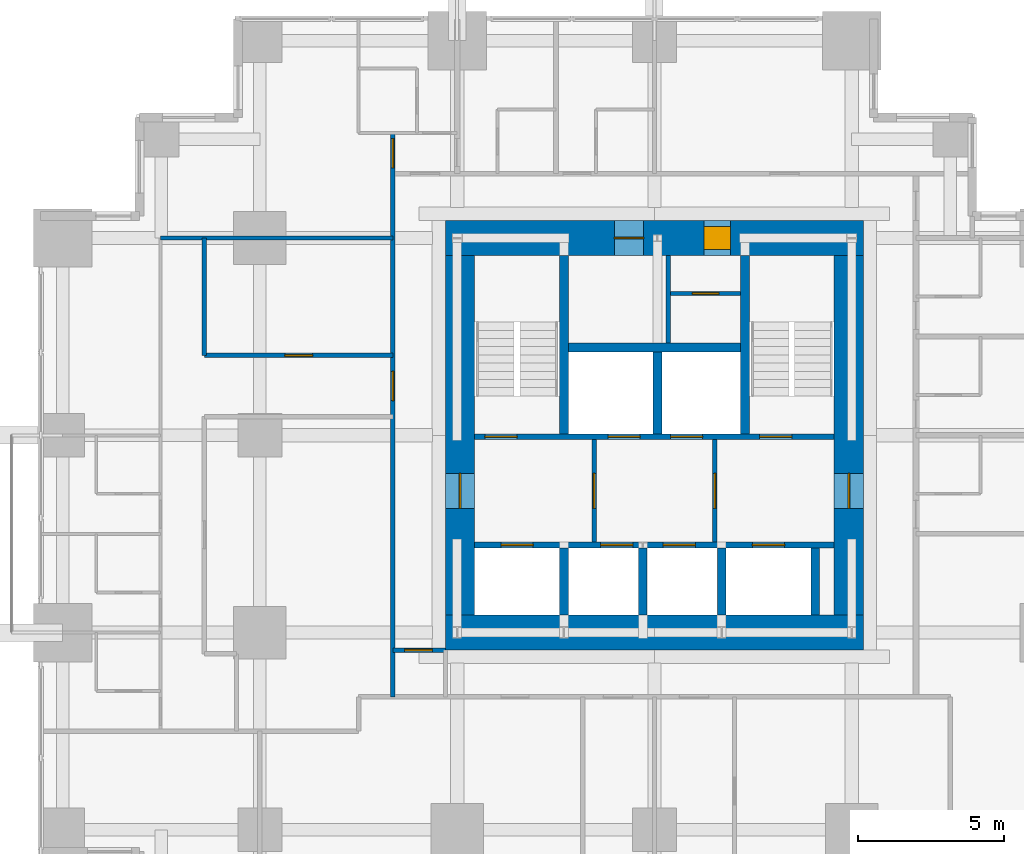
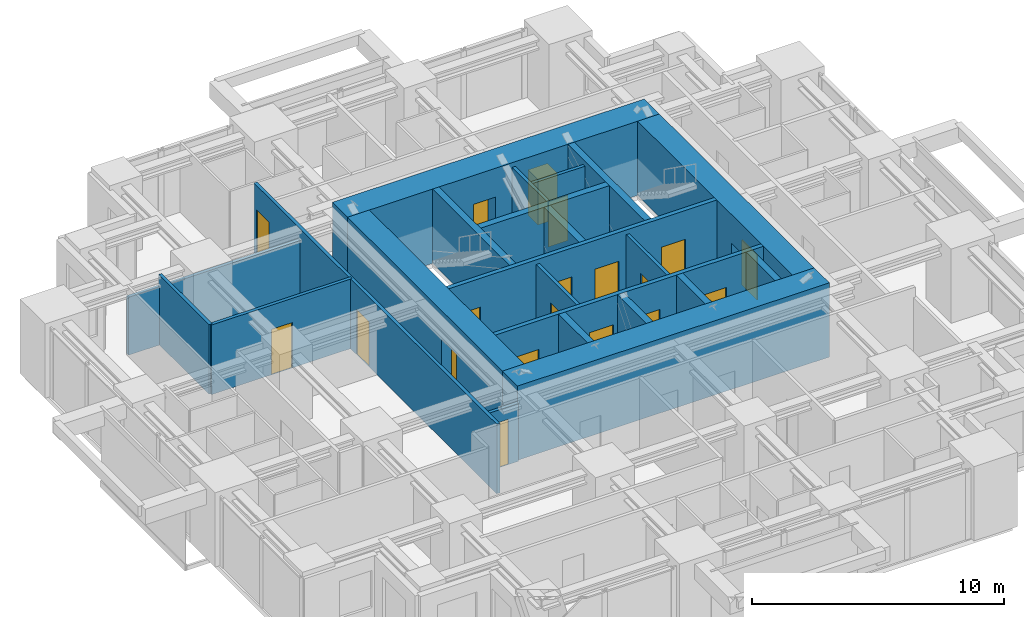
# One storey, part 7 of 10: 23 walls, 19 doors, 19 openings.
"""IFC4 building model written with IfcOpenShell, lengths in metres."""

import ifcopenshell
import ifcopenshell.guid

model = None  # the IFC model being written
_history = None  # IfcOwnerHistory: only IFC2X3 demands one
_inside = {}  # id of a spatial element -> (the spatial element, [elements in it])
_under = {}  # id of a project, library or spatial element -> (it, [spatial elements below it])
_declared = {}  # id of a project -> (the project, [libraries it declares])
_typed = {}  # id of a type object -> (the type object, [elements of that type])
_made_of = {}  # id of a material, layer set ... -> (it, [elements and type objects made of it])


def new_model(schema):
    """Start an empty IFC model of exactly this schema.

    Asked for "IFC4X3", IfcOpenShell would pick the latest addendum, in which some entities
    have other attributes; the version numbers below select the first issue.
    IFC2X3 requires an IfcOwnerHistory on every rooted entity: one is made here for all.
    """
    global model, _history
    if schema == "IFC4X3":
        model = ifcopenshell.file(schema_version=(4, 3, 0, 0))
    else:
        model = ifcopenshell.file(schema=schema)
    _inside.clear()
    _under.clear()
    _declared.clear()
    _typed.clear()
    _made_of.clear()
    _history = None
    if model.schema == "IFC2X3":
        org = make("IfcOrganization", Name="unknown")
        user = make(
            "IfcPersonAndOrganization",
            ThePerson=make("IfcPerson", FamilyName="unknown"),
            TheOrganization=org,
        )
        app = make(
            "IfcApplication",
            ApplicationDeveloper=org,
            Version="unknown",
            ApplicationFullName="unknown",
            ApplicationIdentifier="unknown",
        )
        _history = make(
            "IfcOwnerHistory",
            OwningUser=user,
            OwningApplication=app,
            ChangeAction="ADDED",
            CreationDate=0,
        )
    return model


def make(cls, **values):
    """One entity of the class cls with the attributes given. An attribute that is None is left unset."""
    return model.create_entity(
        cls, **{name: value for name, value in values.items() if value is not None}
    )


def rooted(cls, **values):
    """An entity with a GlobalId (a new one), such as an element, a storey or a relation."""
    return make(cls, GlobalId=ifcopenshell.guid.new(), OwnerHistory=_history, **values)


def si_unit(unit_type, name, prefix=None):
    """IfcSIUnit, for example si_unit("LENGTHUNIT", "METRE", prefix="MILLI")."""
    return make("IfcSIUnit", UnitType=unit_type, Prefix=prefix, Name=name)


def assignment(units):
    """IfcUnitAssignment: the units of a project."""
    return None if units is None else make("IfcUnitAssignment", Units=units)


def point(xyz):
    """IfcCartesianPoint."""
    return None if xyz is None else make("IfcCartesianPoint", Coordinates=xyz)


def direction(xyz):
    """IfcDirection."""
    return None if xyz is None else make("IfcDirection", DirectionRatios=xyz)


def frame(location, z_axis=None, x_axis=None):
    """IfcAxis2Placement3D, a coordinate frame: its origin and axes. An axis left out is left unset."""
    return make(
        "IfcAxis2Placement3D",
        Location=point(location),
        Axis=direction(z_axis),
        RefDirection=direction(x_axis),
    )


def frame_2d(location, x_axis=None):
    """IfcAxis2Placement2D, a coordinate frame in the plane: its origin and x axis."""
    return make(
        "IfcAxis2Placement2D", Location=point(location), RefDirection=direction(x_axis)
    )


def origin():
    """The frame at (0, 0, 0) with its axes left unset."""
    return frame((0.0, 0.0, 0.0))


def place(relative_to, where):
    """IfcLocalPlacement: puts the frame where relative to a parent placement (None: the world)."""
    return make(
        "IfcLocalPlacement", PlacementRelTo=relative_to, RelativePlacement=where
    )


def context(
    kind, dimensions, precision=None, world=None, true_north=None, identifier=None
):
    """IfcGeometricRepresentationContext, for example the 3D "Model" context."""
    return make(
        "IfcGeometricRepresentationContext",
        ContextIdentifier=identifier,
        ContextType=kind,
        CoordinateSpaceDimension=dimensions,
        Precision=precision,
        WorldCoordinateSystem=world,
        TrueNorth=true_north,
    )


def subcontext(parent, identifier, kind, view, scale=None):
    """IfcGeometricRepresentationSubContext, for example "Body" below "Model"."""
    return make(
        "IfcGeometricRepresentationSubContext",
        ContextIdentifier=identifier,
        ContextType=kind,
        ParentContext=parent,
        TargetScale=scale,
        TargetView=view,
    )


def project(units=None, contexts=None):
    """IfcProject with its units and contexts."""
    return rooted(
        "IfcProject",
        Name="project",
        RepresentationContexts=contexts,
        UnitsInContext=assignment(units),
    )


def spatial(cls, under=None, at=None, **own):
    """A site, building, storey or space (cls), placed at a placement, below another one or the project."""
    s = rooted(cls, ObjectPlacement=at, **own)
    if under is not None:
        _under.setdefault(under.id(), (under, []))[1].append(s)
    return s


def profile(cls, at=None, kind="AREA", **sizes):
    """A parametric profile (cls). Its sizes go by their IFC names, for example OverallWidth=200.0."""
    return make(cls, ProfileType=kind, Position=at, **sizes)


def rectangle(**sizes):
    """IfcRectangleProfileDef."""
    return profile("IfcRectangleProfileDef", **sizes)


def extrude(swept, where, along, depth):
    """IfcExtrudedAreaSolid: the profile swept, set in the frame where, extruded along a direction by depth."""
    return make(
        "IfcExtrudedAreaSolid",
        SweptArea=swept,
        Position=where,
        ExtrudedDirection=direction(along),
        Depth=depth,
    )


def shape(context_of_items, identifier, shape_type, items):
    """IfcShapeRepresentation: the items that make up one representation, for example the "Body"."""
    return make(
        "IfcShapeRepresentation",
        ContextOfItems=context_of_items,
        RepresentationIdentifier=identifier,
        RepresentationType=shape_type,
        Items=items,
    )


def material(Name=None, Category=None):
    """IfcMaterial."""
    return make("IfcMaterial", Name=Name, Category=Category)


def layer(
    of_material, thickness, ventilated=None, Name=None, Category=None, Priority=None
):
    """IfcMaterialLayer: one layer of a wall or slab, of a material (None: an air gap)."""
    return make(
        "IfcMaterialLayer",
        Material=of_material,
        LayerThickness=thickness,
        IsVentilated=ventilated,
        Name=Name,
        Category=Category,
        Priority=Priority,
    )


def layer_set(layers, Name=None):
    """IfcMaterialLayerSet."""
    return make("IfcMaterialLayerSet", MaterialLayers=layers, LayerSetName=Name)


def made_of(thing, what):
    """Note that an element or type object is made of a material, layer set ...; save() writes the relation."""
    if what is not None:
        _made_of.setdefault(what.id(), (what, []))[1].append(thing)
    return thing


def type_object(cls, material=None, **own):
    """A type object (cls), such as IfcWallType, which elements share."""
    return made_of(rooted(cls, **own), material)


def element(
    cls,
    number,
    at=None,
    inside=None,
    cuts=None,
    type_object=None,
    material=None,
    context=None,
    identifier="Body",
    shape_type=None,
    held_by="IfcProductDefinitionShape",
    body=None,
    shapes=None,
    **own,
):
    """One element of the class cls, such as IfcWall. Its Tag is "e" and its number.

    at: its placement. inside: the storey or other place that contains it. cuts: it is an
    opening in that element (IfcRelVoidsElement). A single representation is given by context,
    identifier, shape_type and body (its items); several are given by shapes. held_by: the class
    of the entity that holds the representations. save() writes the other relations.
    """
    e = rooted(cls, Tag="e%d" % number, ObjectPlacement=at, **own)
    if body is not None:
        shapes = [shape(context, identifier, shape_type, body)]
    if shapes is not None:
        e.Representation = make(held_by, Representations=shapes)
    if inside is not None:
        _inside.setdefault(inside.id(), (inside, []))[1].append(e)
    if cuts is not None:
        rooted(
            "IfcRelVoidsElement", RelatingBuildingElement=cuts, RelatedOpeningElement=e
        )
    if type_object is not None:
        _typed.setdefault(type_object.id(), (type_object, []))[1].append(e)
    return made_of(e, material)


def fill(opening, filler):
    """IfcRelFillsElement: the door or window that sits in an opening."""
    return rooted(
        "IfcRelFillsElement",
        RelatingOpeningElement=opening,
        RelatedBuildingElement=filler,
    )


def aggregate(whole, parts):
    """IfcRelAggregates: a whole, such as a stair, and the parts it consists of."""
    return rooted("IfcRelAggregates", RelatingObject=whole, RelatedObjects=parts)


def save(model, path):
    """Write the relations noted so far, then the file.

    IfcRelAggregates (storeys below a building ...), IfcRelContainedInSpatialStructure (elements
    in a storey), IfcRelDefinesByType, IfcRelAssociatesMaterial and IfcRelDeclares: one each for
    every whole, place, type object, material and project.
    """
    for whole, parts in _under.values():
        aggregate(whole, parts)
    for where, things in _inside.values():
        rooted(
            "IfcRelContainedInSpatialStructure",
            RelatedElements=things,
            RelatingStructure=where,
        )
    for kind, things in _typed.values():
        rooted("IfcRelDefinesByType", RelatedObjects=things, RelatingType=kind)
    for what, things in _made_of.values():
        rooted("IfcRelAssociatesMaterial", RelatedObjects=things, RelatingMaterial=what)
    for by, libraries in _declared.values():
        rooted("IfcRelDeclares", RelatingContext=by, RelatedDefinitions=libraries)
    model.write(path)


model = new_model("IFC4")

# Units and contexts
model_context = context("Model", 3, precision=1e-05, world=origin(), true_north=direction((0.0, 1.0)))
body_context = subcontext(model_context, "Body", "Model", "MODEL_VIEW")
ifc_project = project(units=[si_unit("LENGTHUNIT", "METRE"), si_unit("AREAUNIT", "SQUARE_METRE"), si_unit("VOLUMEUNIT", "CUBIC_METRE"), si_unit("PLANEANGLEUNIT", "RADIAN"), si_unit("MASSUNIT", "GRAM", prefix="KILO")], contexts=[model_context])

# Site, building, storey
site_placement = place(None, origin())
site = spatial("IfcSite", under=ifc_project, at=site_placement, CompositionType="ELEMENT")
building_placement = place(site_placement, origin())
building = spatial("IfcBuilding", under=site, at=building_placement, Name="Nyansa Garden Tower", CompositionType="ELEMENT")
storey_placement = place(building_placement, frame((0.0, 0.0, 145.800048828125)))
storey = spatial("IfcBuildingStorey", under=building, at=storey_placement, Name="L39", CompositionType="ELEMENT", Elevation=145.800048828125)

# Wall, openings, doors
ifc_material_1 = material(Name="Concrete C70/85", Category="concrete")
ifc_layer_1 = layer(ifc_material_1, 0.199951171875)
ifc_layer_set_1 = layer_set([ifc_layer_1], Name="Core inner wall CI200")
wall_type_1 = type_object("IfcWallType", Name="Core inner wall CI200", PredefinedType="SHEAR", material=ifc_layer_set_1)
wall_1_placement = place(storey_placement, frame((14.10009765625, 16.5, 0.0), z_axis=(0.0, 0.0, 1.0), x_axis=(1.0, 0.0, 0.0)))
wall_1 = element("IfcWall", 1, at=wall_1_placement, inside=storey, type_object=wall_type_1, Name="Core inner wall L39", PredefinedType="SHEAR", context=body_context, shape_type="SweptSolid", body=[
    extrude(rectangle(XDim=12.2998046875, YDim=0.199951171875, at=frame_2d((6.14990234375, 0.0))), origin(), (0.0, 0.0, 1.0), 3.599853515625),
])
opening_1_placement = place(wall_1_placement, frame((0.89990234375, 0.0, 0.0)))
opening_1 = element("IfcOpeningElement", 2, at=opening_1_placement, cuts=wall_1, Name="Opening LD-F", PredefinedType="OPENING", context=body_context, shape_type="SweptSolid", body=[
    extrude(rectangle(XDim=1.10009765625, YDim=2.199951171875, at=frame_2d((0.550048828125, 1.10009765625))), frame((0.0, 0.10986328125, 0.0), z_axis=(0.0, -1.0, 0.0), x_axis=(1.0, 0.0, 0.0)), (0.0, 0.0, 1.0), 0.219970703125),
])
opening_2_placement = place(wall_1_placement, frame((4.31005859375, 0.0, 0.0)))
opening_2 = element("IfcOpeningElement", 3, at=opening_2_placement, cuts=wall_1, Name="Opening LD-B", PredefinedType="OPENING", context=body_context, shape_type="SweptSolid", body=[
    extrude(rectangle(XDim=1.10009765625, YDim=2.199951171875, at=frame_2d((0.550048828125, 1.10009765625))), frame((0.0, 0.10986328125, 0.0), z_axis=(0.0, -1.0, 0.0), x_axis=(1.0, 0.0, 0.0)), (0.0, 0.0, 1.0), 0.219970703125),
])
opening_3_placement = place(wall_1_placement, frame((6.449951171875, 0.0, 0.0)))
opening_3 = element("IfcOpeningElement", 4, at=opening_3_placement, cuts=wall_1, Name="Opening LD-B", PredefinedType="OPENING", context=body_context, shape_type="SweptSolid", body=[
    extrude(rectangle(XDim=1.10009765625, YDim=2.199951171875, at=frame_2d((0.550048828125, 1.10009765625))), frame((0.0, 0.10986328125, 0.0), z_axis=(0.0, -1.0, 0.0), x_axis=(1.0, 0.0, 0.0)), (0.0, 0.0, 1.0), 0.219970703125),
])
opening_4_placement = place(wall_1_placement, frame((9.5, 0.0, 0.0)))
opening_4 = element("IfcOpeningElement", 5, at=opening_4_placement, cuts=wall_1, Name="Opening LD-F", PredefinedType="OPENING", context=body_context, shape_type="SweptSolid", body=[
    extrude(rectangle(XDim=1.10009765625, YDim=2.199951171875, at=frame_2d((0.550048828125, 1.10009765625))), frame((0.0, 0.10986328125, 0.0), z_axis=(0.0, -1.0, 0.0), x_axis=(1.0, 0.0, 0.0)), (0.0, 0.0, 1.0), 0.219970703125),
])
ifc_material_2 = material(Name="Stainless steel centre-opening landing door of the high-rise lift, E 120", Category="steel")
door_type_1 = type_object("IfcDoorType", Name="Lift landing door LD-B 1100x2200", OperationType="DOUBLE_DOOR_SLIDING", PredefinedType="DOOR", material=ifc_material_2)
door_1_placement = place(opening_2_placement, origin())
door_1 = element("IfcDoor", 6, at=door_1_placement, inside=storey, type_object=door_type_1, Name="Landing door B1", OperationType="DOUBLE_DOOR_SLIDING", OverallHeight=2.199951171875, OverallWidth=1.10009765625, PredefinedType="DOOR", context=body_context, shape_type="SweptSolid", body=[
    extrude(rectangle(XDim=1.10009765625, YDim=2.199951171875, at=frame_2d((0.550048828125, 1.10009765625))), frame((0.0, 0.02490234375, 0.0), z_axis=(0.0, -1.0, 0.0), x_axis=(1.0, 0.0, 0.0)), (0.0, 0.0, 1.0), 0.050048828125),
])
fill(opening_2, door_1)
door_2_placement = place(opening_3_placement, origin())
door_2 = element("IfcDoor", 7, at=door_2_placement, inside=storey, type_object=door_type_1, Name="Landing door B2", OperationType="DOUBLE_DOOR_SLIDING", OverallHeight=2.199951171875, OverallWidth=1.10009765625, PredefinedType="DOOR", context=body_context, shape_type="SweptSolid", body=[
    extrude(rectangle(XDim=1.10009765625, YDim=2.199951171875, at=frame_2d((0.550048828125, 1.10009765625))), frame((0.0, 0.02490234375, 0.0), z_axis=(0.0, -1.0, 0.0), x_axis=(1.0, 0.0, 0.0)), (0.0, 0.0, 1.0), 0.050048828125),
])
fill(opening_3, door_2)
ifc_material_3 = material(Name="Stainless steel centre-opening landing door of the firefighting lift, EN 81-72, E 120", Category="steel")
door_type_2 = type_object("IfcDoorType", Name="Lift landing door LD-F 1100x2200", OperationType="DOUBLE_DOOR_SLIDING", PredefinedType="DOOR", material=ifc_material_3)
door_3_placement = place(opening_1_placement, origin())
door_3 = element("IfcDoor", 8, at=door_3_placement, inside=storey, type_object=door_type_2, Name="Landing door FF1", OperationType="DOUBLE_DOOR_SLIDING", OverallHeight=2.199951171875, OverallWidth=1.10009765625, PredefinedType="DOOR", context=body_context, shape_type="SweptSolid", body=[
    extrude(rectangle(XDim=1.10009765625, YDim=2.199951171875, at=frame_2d((0.550048828125, 1.10009765625))), frame((0.0, 0.02490234375, 0.0), z_axis=(0.0, -1.0, 0.0), x_axis=(1.0, 0.0, 0.0)), (0.0, 0.0, 1.0), 0.050048828125),
])
fill(opening_1, door_3)
door_4_placement = place(opening_4_placement, origin())
door_4 = element("IfcDoor", 9, at=door_4_placement, inside=storey, type_object=door_type_2, Name="Landing door FF2", OperationType="DOUBLE_DOOR_SLIDING", OverallHeight=2.199951171875, OverallWidth=1.10009765625, PredefinedType="DOOR", context=body_context, shape_type="SweptSolid", body=[
    extrude(rectangle(XDim=1.10009765625, YDim=2.199951171875, at=frame_2d((0.550048828125, 1.10009765625))), frame((0.0, 0.02490234375, 0.0), z_axis=(0.0, -1.0, 0.0), x_axis=(1.0, 0.0, 0.0)), (0.0, 0.0, 1.0), 0.050048828125),
])
fill(opening_4, door_4)

wall_2_placement = place(storey_placement, frame((14.10009765625, 20.199951171875, 0.0), z_axis=(0.0, 0.0, 1.0), x_axis=(1.0, 0.0, 0.0)))
wall_2 = element("IfcWall", 10, at=wall_2_placement, inside=storey, type_object=wall_type_1, Name="Core inner wall L39", PredefinedType="SHEAR", context=body_context, shape_type="SweptSolid", body=[
    extrude(rectangle(XDim=12.2998046875, YDim=0.199951171875, at=frame_2d((6.14990234375, 0.0))), origin(), (0.0, 0.0, 1.0), 3.599853515625),
])
opening_5_placement = place(wall_2_placement, frame((4.56005859375, 0.0, 0.0)))
opening_5 = element("IfcOpeningElement", 11, at=opening_5_placement, cuts=wall_2, Name="Opening LD-B", PredefinedType="OPENING", context=body_context, shape_type="SweptSolid", body=[
    extrude(rectangle(XDim=1.10009765625, YDim=2.199951171875, at=frame_2d((0.550048828125, 1.10009765625))), frame((0.0, 0.10986328125, 0.0), z_axis=(0.0, -1.0, 0.0), x_axis=(1.0, 0.0, 0.0)), (0.0, 0.0, 1.0), 0.219970703125),
])
opening_6_placement = place(wall_2_placement, frame((6.699951171875, 0.0, 0.0)))
opening_6 = element("IfcOpeningElement", 12, at=opening_6_placement, cuts=wall_2, Name="Opening LD-B", PredefinedType="OPENING", context=body_context, shape_type="SweptSolid", body=[
    extrude(rectangle(XDim=1.10009765625, YDim=2.199951171875, at=frame_2d((0.550048828125, 1.10009765625))), frame((0.0, 0.10986328125, 0.0), z_axis=(0.0, -1.0, 0.0), x_axis=(1.0, 0.0, 0.0)), (0.0, 0.0, 1.0), 0.219970703125),
])
opening_7_placement = place(wall_2_placement, frame((0.35009765625, 0.0, 0.0)))
opening_7 = element("IfcOpeningElement", 13, at=opening_7_placement, cuts=wall_2, Name="Opening D05", PredefinedType="OPENING", context=body_context, shape_type="SweptSolid", body=[
    extrude(rectangle(XDim=1.10009765625, YDim=2.199951171875, at=frame_2d((0.550048828125, 1.10009765625))), frame((0.0, 0.10986328125, 0.0), z_axis=(0.0, -1.0, 0.0), x_axis=(1.0, 0.0, 0.0)), (0.0, 0.0, 1.0), 0.219970703125),
])
opening_8_placement = place(wall_2_placement, frame((9.75, 0.0, 0.0)))
opening_8 = element("IfcOpeningElement", 14, at=opening_8_placement, cuts=wall_2, Name="Opening D05", PredefinedType="OPENING", context=body_context, shape_type="SweptSolid", body=[
    extrude(rectangle(XDim=1.10009765625, YDim=2.199951171875, at=frame_2d((0.550048828125, 1.10009765625))), frame((0.0, 0.10986328125, 0.0), z_axis=(0.0, -1.0, 0.0), x_axis=(1.0, 0.0, 0.0)), (0.0, 0.0, 1.0), 0.219970703125),
])
door_5_placement = place(opening_5_placement, origin())
door_5 = element("IfcDoor", 15, at=door_5_placement, inside=storey, type_object=door_type_1, Name="Landing door B3", OperationType="DOUBLE_DOOR_SLIDING", OverallHeight=2.199951171875, OverallWidth=1.10009765625, PredefinedType="DOOR", context=body_context, shape_type="SweptSolid", body=[
    extrude(rectangle(XDim=1.10009765625, YDim=2.199951171875, at=frame_2d((0.550048828125, 1.10009765625))), frame((0.0, 0.02490234375, 0.0), z_axis=(0.0, -1.0, 0.0), x_axis=(1.0, 0.0, 0.0)), (0.0, 0.0, 1.0), 0.050048828125),
])
fill(opening_5, door_5)
door_6_placement = place(opening_6_placement, origin())
door_6 = element("IfcDoor", 16, at=door_6_placement, inside=storey, type_object=door_type_1, Name="Landing door B4", OperationType="DOUBLE_DOOR_SLIDING", OverallHeight=2.199951171875, OverallWidth=1.10009765625, PredefinedType="DOOR", context=body_context, shape_type="SweptSolid", body=[
    extrude(rectangle(XDim=1.10009765625, YDim=2.199951171875, at=frame_2d((0.550048828125, 1.10009765625))), frame((0.0, 0.02490234375, 0.0), z_axis=(0.0, -1.0, 0.0), x_axis=(1.0, 0.0, 0.0)), (0.0, 0.0, 1.0), 0.050048828125),
])
fill(opening_6, door_6)
ifc_material_4 = material(Name="Steel door, 120 minute fire resisting", Category="steel")
door_type_3 = type_object("IfcDoorType", Name="Stair door D05 1100x2200", OperationType="SINGLE_SWING_LEFT", PredefinedType="DOOR", material=ifc_material_4)
door_7_placement = place(opening_7_placement, origin())
door_7 = element("IfcDoor", 17, at=door_7_placement, inside=storey, type_object=door_type_3, Name="Stair S1 door", OperationType="SINGLE_SWING_LEFT", OverallHeight=2.199951171875, OverallWidth=1.10009765625, PredefinedType="DOOR", context=body_context, shape_type="SweptSolid", body=[
    extrude(rectangle(XDim=1.10009765625, YDim=2.199951171875, at=frame_2d((0.550048828125, 1.10009765625))), frame((0.0, 0.02490234375, 0.0), z_axis=(0.0, -1.0, 0.0), x_axis=(1.0, 0.0, 0.0)), (0.0, 0.0, 1.0), 0.050048828125),
])
fill(opening_7, door_7)
door_8_placement = place(opening_8_placement, origin())
door_8 = element("IfcDoor", 18, at=door_8_placement, inside=storey, type_object=door_type_3, Name="Stair S2 door", OperationType="SINGLE_SWING_LEFT", OverallHeight=2.199951171875, OverallWidth=1.10009765625, PredefinedType="DOOR", context=body_context, shape_type="SweptSolid", body=[
    extrude(rectangle(XDim=1.10009765625, YDim=2.199951171875, at=frame_2d((0.550048828125, 1.10009765625))), frame((0.0, 0.02490234375, 0.0), z_axis=(0.0, -1.0, 0.0), x_axis=(1.0, 0.0, 0.0)), (0.0, 0.0, 1.0), 0.050048828125),
])
fill(opening_8, door_8)

# Walls
ifc_material_5 = material(Name="Concrete C70/85", Category="concrete")
ifc_layer_2 = layer(ifc_material_5, 0.300048828125)
ifc_layer_set_2 = layer_set([ifc_layer_2], Name="Core inner wall CI300")
wall_type_2 = type_object("IfcWallType", Name="Core inner wall CI300", PredefinedType="SHEAR", material=ifc_layer_set_2)
for number, where, z_axis, x_axis, name in (
    (19, (17.14990234375, 20.300048828125, 0.0), (0.0, 0.0, 1.0), (0.0, 1.0, 0.0), "Core inner wall L39"),
    (20, (23.35009765625, 20.300048828125, 0.0), (0.0, 0.0, 1.0), (0.0, 1.0, 0.0), "Core inner wall L39"),
):
    element("IfcWall", number, at=place(storey_placement, frame(where, z_axis=z_axis, x_axis=x_axis)), inside=storey, type_object=wall_type_2, Name=name, PredefinedType="SHEAR", context=body_context, shape_type="SweptSolid", body=[
        extrude(rectangle(XDim=6.099853515625, YDim=0.300048828125, at=frame_2d((3.0498046875, 0.0))), origin(), (0.0, 0.0, 1.0), 3.599853515625),
    ])
wall_3_placement = place(storey_placement, frame((20.35009765625, 20.300048828125, 0.0), z_axis=(0.0, 0.0, 1.0), x_axis=(0.0, 1.0, 0.0)))
element("IfcWall", 21, at=wall_3_placement, inside=storey, type_object=wall_type_2, Name="Core inner wall L39", PredefinedType="SHEAR", context=body_context, shape_type="SweptSolid", body=[
    extrude(rectangle(XDim=2.800048828125, YDim=0.300048828125, at=frame_2d((1.39990234375, 0.0))), origin(), (0.0, 0.0, 1.0), 3.599853515625),
])
wall_4_placement = place(storey_placement, frame((17.300048828125, 23.25, 0.0), z_axis=(0.0, 0.0, 1.0), x_axis=(1.0, 0.0, 0.0)))
element("IfcWall", 22, at=wall_4_placement, inside=storey, type_object=wall_type_2, Name="Core inner wall L39", PredefinedType="SHEAR", context=body_context, shape_type="SweptSolid", body=[
    extrude(rectangle(XDim=5.89990234375, YDim=0.300048828125, at=frame_2d((2.949951171875, 0.0))), origin(), (0.0, 0.0, 1.0), 3.599853515625),
])
for number, where, z_axis, x_axis, name in (
    (23, (17.14990234375, 14.10009765625, 0.0), (0.0, 0.0, 1.0), (0.0, 1.0, 0.0), "Core inner wall L39"),
    (24, (19.85009765625, 14.10009765625, 0.0), (0.0, 0.0, 1.0), (0.0, 1.0, 0.0), "Core inner wall L39"),
    (25, (22.550048828125, 14.10009765625, 0.0), (0.0, 0.0, 1.0), (0.0, 1.0, 0.0), "Core inner wall L39"),
    (26, (25.75, 14.10009765625, 0.0), (0.0, 0.0, 1.0), (0.0, 1.0, 0.0), "Core inner wall L39"),
):
    element("IfcWall", number, at=place(storey_placement, frame(where, z_axis=z_axis, x_axis=x_axis)), inside=storey, type_object=wall_type_2, Name=name, PredefinedType="SHEAR", context=body_context, shape_type="SweptSolid", body=[
        extrude(rectangle(XDim=2.2998046875, YDim=0.300048828125, at=frame_2d((1.14990234375, 0.0))), origin(), (0.0, 0.0, 1.0), 3.599853515625),
    ])

# Wall, opening, door
ifc_material_6 = material(Name="Concrete C80/95", Category="concrete")
ifc_layer_3 = layer(ifc_material_6, 1.0)
ifc_layer_set_3 = layer_set([ifc_layer_3], Name="Core wall CW1000")
wall_type_3 = type_object("IfcWallType", Name="Core wall CW1000", PredefinedType="SHEAR", material=ifc_layer_set_3)
wall_5_placement = place(storey_placement, frame((26.89990234375, 14.10009765625, 0.0), z_axis=(0.0, 0.0, 1.0), x_axis=(0.0, 1.0, 0.0)))
wall_5 = element("IfcWall", 27, at=wall_5_placement, inside=storey, type_object=wall_type_3, Name="Core wall E L39", PredefinedType="SHEAR", context=body_context, shape_type="SweptSolid", body=[
    extrude(rectangle(XDim=12.2998046875, YDim=1.0, at=frame_2d((6.14990234375, 0.0))), origin(), (0.0, 0.0, 1.0), 3.599853515625),
])
opening_9_placement = place(wall_5_placement, frame((3.64990234375, 0.0, 0.0)))
opening_9 = element("IfcOpeningElement", 28, at=opening_9_placement, cuts=wall_5, Name="Opening D06", PredefinedType="OPENING", context=body_context, shape_type="SweptSolid", body=[
    extrude(rectangle(XDim=1.199951171875, YDim=2.199951171875, at=frame_2d((0.60009765625, 1.10009765625))), frame((0.0, 0.510009765625, 0.0), z_axis=(0.0, -1.0, 0.0), x_axis=(1.0, 0.0, 0.0)), (0.0, 0.0, 1.0), 1.02001953125),
])
ifc_material_7 = material(Name="Steel door, 120 minute fire resisting", Category="steel")
door_type_4 = type_object("IfcDoorType", Name="Lobby door D06 1200x2200", OperationType="DOUBLE_DOOR_SINGLE_SWING", PredefinedType="DOOR", material=ifc_material_7)
door_9_placement = place(opening_9_placement, origin())
door_9 = element("IfcDoor", 29, at=door_9_placement, inside=storey, type_object=door_type_4, Name="Lift lobby door east", OperationType="DOUBLE_DOOR_SINGLE_SWING", OverallHeight=2.199951171875, OverallWidth=1.199951171875, PredefinedType="DOOR", context=body_context, shape_type="SweptSolid", body=[
    extrude(rectangle(XDim=1.199951171875, YDim=2.199951171875, at=frame_2d((0.60009765625, 1.10009765625))), frame((0.0, 0.02490234375, 0.0), z_axis=(0.0, -1.0, 0.0), x_axis=(1.0, 0.0, 0.0)), (0.0, 0.0, 1.0), 0.050048828125),
])
fill(opening_9, door_9)

wall_6_placement = place(storey_placement, frame((13.60009765625, 26.39990234375, 0.0), z_axis=(0.0, 0.0, 1.0), x_axis=(0.0, -1.0, 0.0)))
wall_6 = element("IfcWall", 30, at=wall_6_placement, inside=storey, type_object=wall_type_3, Name="Core wall W L39", PredefinedType="SHEAR", context=body_context, shape_type="SweptSolid", body=[
    extrude(rectangle(XDim=12.2998046875, YDim=1.0, at=frame_2d((6.14990234375, 0.0))), origin(), (0.0, 0.0, 1.0), 3.599853515625),
])
opening_10_placement = place(wall_6_placement, frame((7.449951171875, 0.0, 0.0)))
opening_10 = element("IfcOpeningElement", 31, at=opening_10_placement, cuts=wall_6, Name="Opening D06", PredefinedType="OPENING", context=body_context, shape_type="SweptSolid", body=[
    extrude(rectangle(XDim=1.199951171875, YDim=2.199951171875, at=frame_2d((0.60009765625, 1.10009765625))), frame((0.0, 0.510009765625, 0.0), z_axis=(0.0, -1.0, 0.0), x_axis=(1.0, 0.0, 0.0)), (0.0, 0.0, 1.0), 1.02001953125),
])
door_10_placement = place(opening_10_placement, origin())
door_10 = element("IfcDoor", 32, at=door_10_placement, inside=storey, type_object=door_type_4, Name="Lift lobby door west", OperationType="DOUBLE_DOOR_SINGLE_SWING", OverallHeight=2.199951171875, OverallWidth=1.199951171875, PredefinedType="DOOR", context=body_context, shape_type="SweptSolid", body=[
    extrude(rectangle(XDim=1.199951171875, YDim=2.199951171875, at=frame_2d((0.60009765625, 1.10009765625))), frame((0.0, 0.02490234375, 0.0), z_axis=(0.0, -1.0, 0.0), x_axis=(1.0, 0.0, 0.0)), (0.0, 0.0, 1.0), 0.050048828125),
])
fill(opening_10, door_10)

# Wall
ifc_material_8 = material(Name="Concrete C80/95", Category="concrete")
ifc_layer_4 = layer(ifc_material_8, 1.199951171875)
ifc_layer_set_4 = layer_set([ifc_layer_4], Name="Core wall CW1200")
wall_type_4 = type_object("IfcWallType", Name="Core wall CW1200", PredefinedType="SHEAR", material=ifc_layer_set_4)
wall_7_placement = place(storey_placement, frame((13.10009765625, 13.5, 0.0), z_axis=(0.0, 0.0, 1.0), x_axis=(1.0, 0.0, 0.0)))
element("IfcWall", 33, at=wall_7_placement, inside=storey, type_object=wall_type_4, Name="Core wall S L39", PredefinedType="SHEAR", context=body_context, shape_type="SweptSolid", body=[
    extrude(rectangle(XDim=14.2998046875, YDim=1.199951171875, at=frame_2d((7.14990234375, 0.0))), origin(), (0.0, 0.0, 1.0), 3.599853515625),
])

# Wall, openings, doors
wall_8_placement = place(storey_placement, frame((27.39990234375, 27.0, 0.0), z_axis=(0.0, 0.0, 1.0), x_axis=(-1.0, 0.0, 0.0)))
wall_8 = element("IfcWall", 34, at=wall_8_placement, inside=storey, type_object=wall_type_4, Name="Core wall N L39", PredefinedType="SHEAR", context=body_context, shape_type="SweptSolid", body=[
    extrude(rectangle(XDim=14.2998046875, YDim=1.199951171875, at=frame_2d((7.14990234375, 0.0))), origin(), (0.0, 0.0, 1.0), 3.599853515625),
])
opening_11_placement = place(wall_8_placement, frame((4.550048828125, 0.0, 0.0)))
opening_11 = element("IfcOpeningElement", 35, at=opening_11_placement, cuts=wall_8, Name="Opening D15", PredefinedType="OPENING", context=body_context, shape_type="SweptSolid", body=[
    extrude(rectangle(XDim=0.89990234375, YDim=2.199951171875, at=frame_2d((0.449951171875, 1.10009765625))), frame((0.0, 0.60986328125, 0.0), z_axis=(0.0, -1.0, 0.0), x_axis=(1.0, 0.0, 0.0)), (0.0, 0.0, 1.0), 1.219970703125),
])
opening_12_placement = place(wall_8_placement, frame((7.52490234375, 0.0, 0.0)))
opening_12 = element("IfcOpeningElement", 36, at=opening_12_placement, cuts=wall_8, Name="Opening D07", PredefinedType="OPENING", context=body_context, shape_type="SweptSolid", body=[
    extrude(rectangle(XDim=1.0, YDim=2.199951171875, at=frame_2d((0.5, 1.10009765625))), frame((0.0, 0.60986328125, 0.0), z_axis=(0.0, -1.0, 0.0), x_axis=(1.0, 0.0, 0.0)), (0.0, 0.0, 1.0), 1.219970703125),
])
ifc_material_9 = material(Name="Timber flush door, 60 minute fire resisting, self-closing", Category="wood")
door_type_5 = type_object("IfcDoorType", Name="Core room door D15 900x2200", OperationType="SINGLE_SWING_LEFT", PredefinedType="DOOR", material=ifc_material_9)
door_11_placement = place(opening_11_placement, origin())
door_11 = element("IfcDoor", 37, at=door_11_placement, inside=storey, type_object=door_type_5, Name="Core room door", OperationType="SINGLE_SWING_LEFT", OverallHeight=2.199951171875, OverallWidth=0.89990234375, PredefinedType="DOOR", context=body_context, shape_type="SweptSolid", body=[
    extrude(rectangle(XDim=0.89990234375, YDim=2.199951171875, at=frame_2d((0.449951171875, 1.10009765625))), frame((0.0, 0.39990234375, 0.0), z_axis=(0.0, -1.0, 0.0), x_axis=(1.0, 0.0, 0.0)), (0.0, 0.0, 1.0), 0.800048828125),
])
fill(opening_11, door_11)
ifc_material_10 = material(Name="Steel door, 120 minute fire resisting", Category="steel")
door_type_6 = type_object("IfcDoorType", Name="Riser door D07 1000x2200", OperationType="SINGLE_SWING_LEFT", PredefinedType="DOOR", material=ifc_material_10)
door_12_placement = place(opening_12_placement, origin())
door_12 = element("IfcDoor", 38, at=door_12_placement, inside=storey, type_object=door_type_6, Name="Riser and refuse room door", OperationType="SINGLE_SWING_LEFT", OverallHeight=2.199951171875, OverallWidth=1.0, PredefinedType="DOOR", context=body_context, shape_type="SweptSolid", body=[
    extrude(rectangle(XDim=1.0, YDim=2.199951171875, at=frame_2d((0.5, 1.10009765625))), frame((0.0, 0.02490234375, 0.0), z_axis=(0.0, -1.0, 0.0), x_axis=(1.0, 0.0, 0.0)), (0.0, 0.0, 1.0), 0.050048828125),
])
fill(opening_12, door_12)

# Wall, opening, door
ifc_material_11 = material(Name="Blockwork, plastered both sides", Category="masonry")
ifc_layer_5 = layer(ifc_material_11, 0.14990234375)
ifc_layer_set_5 = layer_set([ifc_layer_5], Name="Partition PW150")
wall_type_5 = type_object("IfcWallType", Name="Partition PW150", PredefinedType="PARTITIONING", material=ifc_layer_set_5)
wall_9_placement = place(storey_placement, frame((18.18505859375, 16.60009765625, 0.0), z_axis=(0.0, 0.0, 1.0), x_axis=(0.0, 1.0, 0.0)))
wall_9 = element("IfcWall", 39, at=wall_9_placement, inside=storey, type_object=wall_type_5, Name="Partition", PredefinedType="PARTITIONING", context=body_context, shape_type="SweptSolid", body=[
    extrude(rectangle(XDim=3.5, YDim=0.14990234375, at=frame_2d((1.75, 0.0))), origin(), (0.0, 0.0, 1.0), 3.375),
])
opening_13_placement = place(wall_9_placement, frame((1.14990234375, 0.0, 0.0)))
opening_13 = element("IfcOpeningElement", 40, at=opening_13_placement, cuts=wall_9, Name="Opening D06", PredefinedType="OPENING", context=body_context, shape_type="SweptSolid", body=[
    extrude(rectangle(XDim=1.199951171875, YDim=2.199951171875, at=frame_2d((0.60009765625, 1.10009765625))), frame((0.0, 0.0849609375, 0.0), z_axis=(0.0, -1.0, 0.0), x_axis=(1.0, 0.0, 0.0)), (0.0, 0.0, 1.0), 0.169921875),
])
door_13_placement = place(opening_13_placement, origin())
door_13 = element("IfcDoor", 41, at=door_13_placement, inside=storey, type_object=door_type_4, Name="Passenger lift lobby door", OperationType="DOUBLE_DOOR_SINGLE_SWING", OverallHeight=2.199951171875, OverallWidth=1.199951171875, PredefinedType="DOOR", context=body_context, shape_type="SweptSolid", body=[
    extrude(rectangle(XDim=1.199951171875, YDim=2.199951171875, at=frame_2d((0.60009765625, 1.10009765625))), frame((0.0, 0.02490234375, 0.0), z_axis=(0.0, -1.0, 0.0), x_axis=(1.0, 0.0, 0.0)), (0.0, 0.0, 1.0), 0.050048828125),
])
fill(opening_13, door_13)

wall_10_placement = place(storey_placement, frame((22.31494140625, 16.60009765625, 0.0), z_axis=(0.0, 0.0, 1.0), x_axis=(0.0, 1.0, 0.0)))
wall_10 = element("IfcWall", 42, at=wall_10_placement, inside=storey, type_object=wall_type_5, Name="Partition", PredefinedType="PARTITIONING", context=body_context, shape_type="SweptSolid", body=[
    extrude(rectangle(XDim=3.5, YDim=0.14990234375, at=frame_2d((1.75, 0.0))), origin(), (0.0, 0.0, 1.0), 3.375),
])
opening_14_placement = place(wall_10_placement, frame((1.14990234375, 0.0, 0.0)))
opening_14 = element("IfcOpeningElement", 43, at=opening_14_placement, cuts=wall_10, Name="Opening D06", PredefinedType="OPENING", context=body_context, shape_type="SweptSolid", body=[
    extrude(rectangle(XDim=1.199951171875, YDim=2.199951171875, at=frame_2d((0.60009765625, 1.10009765625))), frame((0.0, 0.0849609375, 0.0), z_axis=(0.0, -1.0, 0.0), x_axis=(1.0, 0.0, 0.0)), (0.0, 0.0, 1.0), 0.169921875),
])
door_14_placement = place(opening_14_placement, origin())
door_14 = element("IfcDoor", 44, at=door_14_placement, inside=storey, type_object=door_type_4, Name="Passenger lift lobby door", OperationType="DOUBLE_DOOR_SINGLE_SWING", OverallHeight=2.199951171875, OverallWidth=1.199951171875, PredefinedType="DOOR", context=body_context, shape_type="SweptSolid", body=[
    extrude(rectangle(XDim=1.199951171875, YDim=2.199951171875, at=frame_2d((0.60009765625, 1.10009765625))), frame((0.0, 0.02490234375, 0.0), z_axis=(0.0, -1.0, 0.0), x_axis=(1.0, 0.0, 0.0)), (0.0, 0.0, 1.0), 0.050048828125),
])
fill(opening_14, door_14)

# Wall
wall_11_placement = place(storey_placement, frame((20.72509765625, 23.39990234375, 0.0), z_axis=(0.0, 0.0, 1.0), x_axis=(0.0, 1.0, 0.0)))
element("IfcWall", 45, at=wall_11_placement, inside=storey, type_object=wall_type_5, Name="Partition", PredefinedType="PARTITIONING", context=body_context, shape_type="SweptSolid", body=[
    extrude(rectangle(XDim=3.0, YDim=0.14990234375, at=frame_2d((1.5, 0.0))), origin(), (0.0, 0.0, 1.0), 3.375),
])

# Wall, opening, door
wall_12_placement = place(storey_placement, frame((20.800048828125, 25.10009765625, 0.0), z_axis=(0.0, 0.0, 1.0), x_axis=(1.0, 0.0, 0.0)))
wall_12 = element("IfcWall", 46, at=wall_12_placement, inside=storey, type_object=wall_type_5, Name="Partition", PredefinedType="PARTITIONING", context=body_context, shape_type="SweptSolid", body=[
    extrude(rectangle(XDim=2.39990234375, YDim=0.14990234375, at=frame_2d((1.199951171875, 0.0))), origin(), (0.0, 0.0, 1.0), 3.375),
])
opening_15_placement = place(wall_12_placement, frame((0.75, 0.0, 0.0)))
opening_15 = element("IfcOpeningElement", 47, at=opening_15_placement, cuts=wall_12, Name="Opening D02", PredefinedType="OPENING", context=body_context, shape_type="SweptSolid", body=[
    extrude(rectangle(XDim=0.89990234375, YDim=2.199951171875, at=frame_2d((0.449951171875, 1.10009765625))), frame((0.0, 0.0849609375, 0.0), z_axis=(0.0, -1.0, 0.0), x_axis=(1.0, 0.0, 0.0)), (0.0, 0.0, 1.0), 0.169921875),
])
ifc_material_12 = material(Name="Timber flush door", Category="wood")
door_type_7 = type_object("IfcDoorType", Name="En-suite door D02 900x2200", OperationType="SINGLE_SWING_RIGHT", PredefinedType="DOOR", material=ifc_material_12)
door_15_placement = place(opening_15_placement, origin())
door_15 = element("IfcDoor", 48, at=door_15_placement, inside=storey, type_object=door_type_7, Name="Staff WC door", OperationType="SINGLE_SWING_RIGHT", OverallHeight=2.199951171875, OverallWidth=0.89990234375, PredefinedType="DOOR", context=body_context, shape_type="SweptSolid", body=[
    extrude(rectangle(XDim=0.89990234375, YDim=2.199951171875, at=frame_2d((0.449951171875, 1.10009765625))), frame((0.0, 0.02490234375, 0.0), z_axis=(0.0, -1.0, 0.0), x_axis=(1.0, 0.0, 0.0)), (0.0, 0.0, 1.0), 0.050048828125),
])
fill(opening_15, door_15)

# Walls
wall_13_placement = place(storey_placement, frame((3.35009765625, 27.0, 0.0), z_axis=(0.0, 0.0, 1.0), x_axis=(1.0, 0.0, 0.0)))
element("IfcWall", 49, at=wall_13_placement, inside=storey, type_object=wall_type_5, Name="Partition", PredefinedType="PARTITIONING", context=body_context, shape_type="SweptSolid", body=[
    extrude(rectangle(XDim=7.949951171875, YDim=0.14990234375, at=frame_2d((3.97509765625, 0.0))), origin(), (0.0, 0.0, 1.0), 2.805908203125),
])
wall_14_placement = place(storey_placement, frame((4.85009765625, 22.987548828125, 0.0), z_axis=(0.0, 0.0, 1.0), x_axis=(0.0, 1.0, 0.0)))
element("IfcWall", 50, at=wall_14_placement, inside=storey, type_object=wall_type_5, Name="Partition", PredefinedType="PARTITIONING", context=body_context, shape_type="SweptSolid", body=[
    extrude(rectangle(XDim=4.012451171875, YDim=0.14990234375, at=frame_2d((2.00634765625, 0.0))), origin(), (0.0, 0.0, 1.0), 3.375),
])

# Wall, opening, door
wall_15_placement = place(storey_placement, frame((4.85009765625, 22.988037109375, 0.0), z_axis=(0.0, 0.0, 1.0), x_axis=(1.0, 0.0, 0.0)))
wall_15 = element("IfcWall", 51, at=wall_15_placement, inside=storey, type_object=wall_type_5, Name="Partition", PredefinedType="PARTITIONING", context=body_context, shape_type="SweptSolid", body=[
    extrude(rectangle(XDim=6.449951171875, YDim=0.14990234375, at=frame_2d((3.22509765625, 0.0))), origin(), (0.0, 0.0, 1.0), 3.375),
])
opening_16_placement = place(wall_15_placement, frame((2.75, 0.0, 0.0)))
opening_16 = element("IfcOpeningElement", 52, at=opening_16_placement, cuts=wall_15, Name="Opening D01", PredefinedType="OPENING", context=body_context, shape_type="SweptSolid", body=[
    extrude(rectangle(XDim=0.949951171875, YDim=2.199951171875, at=frame_2d((0.47509765625, 1.10009765625))), frame((0.0, 0.0849609375, 0.0), z_axis=(0.0, -1.0, 0.0), x_axis=(1.0, 0.0, 0.0)), (0.0, 0.0, 1.0), 0.169921875),
])
ifc_material_13 = material(Name="Timber flush door, 30 minute fire resisting", Category="wood")
door_type_8 = type_object("IfcDoorType", Name="Bedroom door D01 950x2200", OperationType="SINGLE_SWING_LEFT", PredefinedType="DOOR", material=ifc_material_13)
door_16_placement = place(opening_16_placement, origin())
door_16 = element("IfcDoor", 53, at=door_16_placement, inside=storey, type_object=door_type_8, Name="Door L39-054", OperationType="SINGLE_SWING_LEFT", OverallHeight=2.199951171875, OverallWidth=0.949951171875, PredefinedType="DOOR", context=body_context, shape_type="SweptSolid", body=[
    extrude(rectangle(XDim=0.949951171875, YDim=2.199951171875, at=frame_2d((0.47509765625, 1.10009765625))), frame((0.0, 0.02490234375, 0.0), z_axis=(0.0, -1.0, 0.0), x_axis=(1.0, 0.0, 0.0)), (0.0, 0.0, 1.0), 0.050048828125),
])
fill(opening_16, door_16)

# Wall, openings, doors
wall_16_placement = place(storey_placement, frame((11.300048828125, 11.300048828125, 0.0), z_axis=(0.0, 0.0, 1.0), x_axis=(0.0, 1.0, 0.0)))
wall_16 = element("IfcWall", 54, at=wall_16_placement, inside=storey, type_object=wall_type_5, Name="Partition", PredefinedType="PARTITIONING", context=body_context, shape_type="SweptSolid", body=[
    extrude(rectangle(XDim=19.300048828125, YDim=0.14990234375, at=frame_2d((9.64990234375, 0.0))), origin(), (0.0, 0.0, 1.0), 3.375),
])
opening_17_placement = place(wall_16_placement, frame((18.10009765625, 0.0, 0.0)))
opening_17 = element("IfcOpeningElement", 55, at=opening_17_placement, cuts=wall_16, Name="Opening D03", PredefinedType="OPENING", context=body_context, shape_type="SweptSolid", body=[
    extrude(rectangle(XDim=1.0, YDim=2.199951171875, at=frame_2d((0.5, 1.10009765625))), frame((0.0, 0.0849609375, 0.0), z_axis=(0.0, -1.0, 0.0), x_axis=(1.0, 0.0, 0.0)), (0.0, 0.0, 1.0), 0.169921875),
])
opening_18_placement = place(wall_16_placement, frame((10.137451171875, 0.0, 0.0)))
opening_18 = element("IfcOpeningElement", 56, at=opening_18_placement, cuts=wall_16, Name="Opening D03", PredefinedType="OPENING", context=body_context, shape_type="SweptSolid", body=[
    extrude(rectangle(XDim=1.0, YDim=2.199951171875, at=frame_2d((0.5, 1.10009765625))), frame((0.0, 0.0849609375, 0.0), z_axis=(0.0, -1.0, 0.0), x_axis=(1.0, 0.0, 0.0)), (0.0, 0.0, 1.0), 0.169921875),
])
ifc_material_14 = material(Name="Timber flush door, 60 minute fire resisting", Category="wood")
door_type_9 = type_object("IfcDoorType", Name="Cluster entrance door D03 1000x2200", OperationType="SINGLE_SWING_LEFT", PredefinedType="DOOR", material=ifc_material_14)
door_17_placement = place(opening_17_placement, origin())
door_17 = element("IfcDoor", 57, at=door_17_placement, inside=storey, type_object=door_type_9, Name="Door L39-045", OperationType="SINGLE_SWING_LEFT", OverallHeight=2.199951171875, OverallWidth=1.0, PredefinedType="DOOR", context=body_context, shape_type="SweptSolid", body=[
    extrude(rectangle(XDim=1.0, YDim=2.199951171875, at=frame_2d((0.5, 1.10009765625))), frame((0.0, 0.02490234375, 0.0), z_axis=(0.0, -1.0, 0.0), x_axis=(1.0, 0.0, 0.0)), (0.0, 0.0, 1.0), 0.050048828125),
])
fill(opening_17, door_17)
door_18_placement = place(opening_18_placement, origin())
door_18 = element("IfcDoor", 58, at=door_18_placement, inside=storey, type_object=door_type_9, Name="Door L39-052", OperationType="SINGLE_SWING_LEFT", OverallHeight=2.199951171875, OverallWidth=1.0, PredefinedType="DOOR", context=body_context, shape_type="SweptSolid", body=[
    extrude(rectangle(XDim=1.0, YDim=2.199951171875, at=frame_2d((0.5, 1.10009765625))), frame((0.0, 0.02490234375, 0.0), z_axis=(0.0, -1.0, 0.0), x_axis=(1.0, 0.0, 0.0)), (0.0, 0.0, 1.0), 0.050048828125),
])
fill(opening_18, door_18)

# Wall, opening, door
wall_17_placement = place(storey_placement, frame((11.300048828125, 12.89990234375, 0.0), z_axis=(0.0, 0.0, 1.0), x_axis=(1.0, 0.0, 0.0)))
wall_17 = element("IfcWall", 59, at=wall_17_placement, inside=storey, type_object=wall_type_5, Name="Partition", PredefinedType="PARTITIONING", context=body_context, shape_type="SweptSolid", body=[
    extrude(rectangle(XDim=1.800048828125, YDim=0.14990234375, at=frame_2d((0.89990234375, 0.0))), origin(), (0.0, 0.0, 1.0), 2.805908203125),
])
opening_19_placement = place(wall_17_placement, frame((0.39990234375, 0.0, 0.0)))
opening_19 = element("IfcOpeningElement", 60, at=opening_19_placement, cuts=wall_17, Name="Opening D01", PredefinedType="OPENING", context=body_context, shape_type="SweptSolid", body=[
    extrude(rectangle(XDim=0.949951171875, YDim=2.199951171875, at=frame_2d((0.47509765625, 1.10009765625))), frame((0.0, 0.0849609375, 0.0), z_axis=(0.0, -1.0, 0.0), x_axis=(1.0, 0.0, 0.0)), (0.0, 0.0, 1.0), 0.169921875),
])
door_19_placement = place(opening_19_placement, origin())
door_19 = element("IfcDoor", 61, at=door_19_placement, inside=storey, type_object=door_type_8, Name="Door L39-017", OperationType="SINGLE_SWING_LEFT", OverallHeight=2.199951171875, OverallWidth=0.949951171875, PredefinedType="DOOR", context=body_context, shape_type="SweptSolid", body=[
    extrude(rectangle(XDim=0.949951171875, YDim=2.199951171875, at=frame_2d((0.47509765625, 1.10009765625))), frame((0.0, 0.02490234375, 0.0), z_axis=(0.0, -1.0, 0.0), x_axis=(1.0, 0.0, 0.0)), (0.0, 0.0, 1.0), 0.050048828125),
])
fill(opening_19, door_19)

save(model, "model.ifc")
